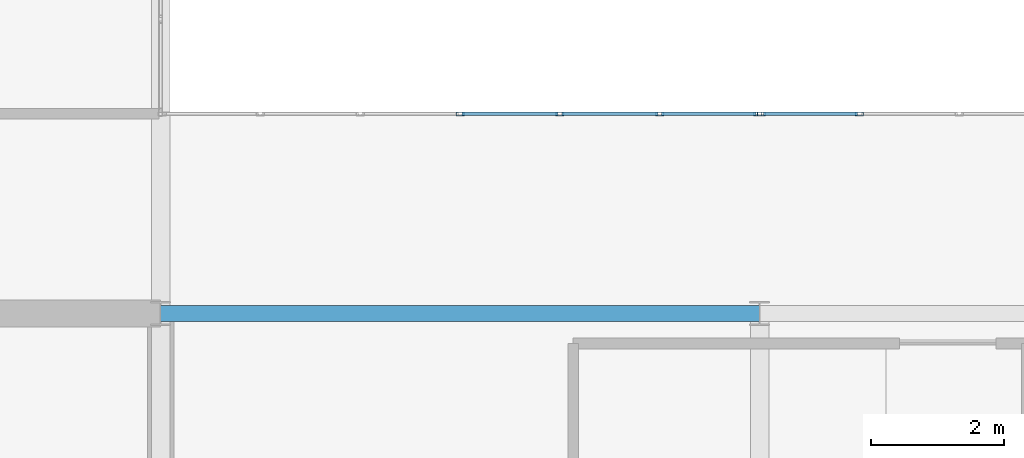
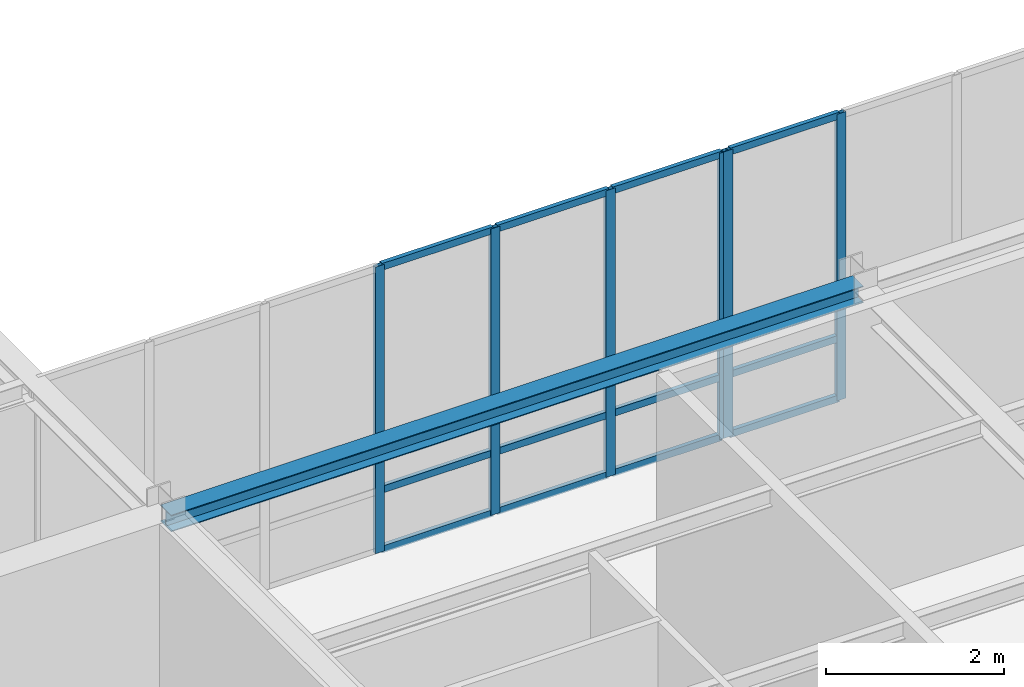
# One storey, part 19 of 97: 18 members, 1 beam, 2 elements without a shape of their own.
"""IFC4 building model written with IfcOpenShell, lengths in metres."""

import ifcopenshell
import ifcopenshell.guid

model = None  # the IFC model being written
_history = None  # IfcOwnerHistory: only IFC2X3 demands one
_inside = {}  # id of a spatial element -> (the spatial element, [elements in it])
_under = {}  # id of a project, library or spatial element -> (it, [spatial elements below it])
_declared = {}  # id of a project -> (the project, [libraries it declares])
_typed = {}  # id of a type object -> (the type object, [elements of that type])
_made_of = {}  # id of a material, layer set ... -> (it, [elements and type objects made of it])


def new_model(schema):
    """Start an empty IFC model of exactly this schema.

    Asked for "IFC4X3", IfcOpenShell would pick the latest addendum, in which some entities
    have other attributes; the version numbers below select the first issue.
    IFC2X3 requires an IfcOwnerHistory on every rooted entity: one is made here for all.
    """
    global model, _history
    if schema == "IFC4X3":
        model = ifcopenshell.file(schema_version=(4, 3, 0, 0))
    else:
        model = ifcopenshell.file(schema=schema)
    _inside.clear()
    _under.clear()
    _declared.clear()
    _typed.clear()
    _made_of.clear()
    _history = None
    if model.schema == "IFC2X3":
        org = make("IfcOrganization", Name="unknown")
        user = make(
            "IfcPersonAndOrganization",
            ThePerson=make("IfcPerson", FamilyName="unknown"),
            TheOrganization=org,
        )
        app = make(
            "IfcApplication",
            ApplicationDeveloper=org,
            Version="unknown",
            ApplicationFullName="unknown",
            ApplicationIdentifier="unknown",
        )
        _history = make(
            "IfcOwnerHistory",
            OwningUser=user,
            OwningApplication=app,
            ChangeAction="ADDED",
            CreationDate=0,
        )
    return model


def make(cls, **values):
    """One entity of the class cls with the attributes given. An attribute that is None is left unset."""
    return model.create_entity(
        cls, **{name: value for name, value in values.items() if value is not None}
    )


def rooted(cls, **values):
    """An entity with a GlobalId (a new one), such as an element, a storey or a relation."""
    return make(cls, GlobalId=ifcopenshell.guid.new(), OwnerHistory=_history, **values)


def si_unit(unit_type, name, prefix=None):
    """IfcSIUnit, for example si_unit("LENGTHUNIT", "METRE", prefix="MILLI")."""
    return make("IfcSIUnit", UnitType=unit_type, Prefix=prefix, Name=name)


def assignment(units):
    """IfcUnitAssignment: the units of a project."""
    return None if units is None else make("IfcUnitAssignment", Units=units)


def point(xyz):
    """IfcCartesianPoint."""
    return None if xyz is None else make("IfcCartesianPoint", Coordinates=xyz)


def direction(xyz):
    """IfcDirection."""
    return None if xyz is None else make("IfcDirection", DirectionRatios=xyz)


def frame(location, z_axis=None, x_axis=None):
    """IfcAxis2Placement3D, a coordinate frame: its origin and axes. An axis left out is left unset."""
    return make(
        "IfcAxis2Placement3D",
        Location=point(location),
        Axis=direction(z_axis),
        RefDirection=direction(x_axis),
    )


def frame_2d(location, x_axis=None):
    """IfcAxis2Placement2D, a coordinate frame in the plane: its origin and x axis."""
    return make(
        "IfcAxis2Placement2D", Location=point(location), RefDirection=direction(x_axis)
    )


def origin():
    """The frame at (0, 0, 0) with its axes left unset."""
    return frame((0.0, 0.0, 0.0))


def origin_2d():
    """The frame at (0, 0) in the plane with its x axis left unset."""
    return frame_2d((0.0, 0.0))


def place(relative_to, where):
    """IfcLocalPlacement: puts the frame where relative to a parent placement (None: the world)."""
    return make(
        "IfcLocalPlacement", PlacementRelTo=relative_to, RelativePlacement=where
    )


def context(
    kind, dimensions, precision=None, world=None, true_north=None, identifier=None
):
    """IfcGeometricRepresentationContext, for example the 3D "Model" context."""
    return make(
        "IfcGeometricRepresentationContext",
        ContextIdentifier=identifier,
        ContextType=kind,
        CoordinateSpaceDimension=dimensions,
        Precision=precision,
        WorldCoordinateSystem=world,
        TrueNorth=true_north,
    )


def subcontext(parent, identifier, kind, view, scale=None):
    """IfcGeometricRepresentationSubContext, for example "Body" below "Model"."""
    return make(
        "IfcGeometricRepresentationSubContext",
        ContextIdentifier=identifier,
        ContextType=kind,
        ParentContext=parent,
        TargetScale=scale,
        TargetView=view,
    )


def project(units=None, contexts=None):
    """IfcProject with its units and contexts."""
    return rooted(
        "IfcProject",
        Name="project",
        RepresentationContexts=contexts,
        UnitsInContext=assignment(units),
    )


def spatial(cls, under=None, at=None, **own):
    """A site, building, storey or space (cls), placed at a placement, below another one or the project."""
    s = rooted(cls, ObjectPlacement=at, **own)
    if under is not None:
        _under.setdefault(under.id(), (under, []))[1].append(s)
    return s


def profile(cls, at=None, kind="AREA", **sizes):
    """A parametric profile (cls). Its sizes go by their IFC names, for example OverallWidth=200.0."""
    return make(cls, ProfileType=kind, Position=at, **sizes)


def hollow_rectangle(**sizes):
    """IfcRectangleHollowProfileDef."""
    return profile("IfcRectangleHollowProfileDef", **sizes)


def i_section(**sizes):
    """IfcIShapeProfileDef."""
    return profile("IfcIShapeProfileDef", **sizes)


def extrude(swept, where, along, depth):
    """IfcExtrudedAreaSolid: the profile swept, set in the frame where, extruded along a direction by depth."""
    return make(
        "IfcExtrudedAreaSolid",
        SweptArea=swept,
        Position=where,
        ExtrudedDirection=direction(along),
        Depth=depth,
    )


def shape(context_of_items, identifier, shape_type, items):
    """IfcShapeRepresentation: the items that make up one representation, for example the "Body"."""
    return make(
        "IfcShapeRepresentation",
        ContextOfItems=context_of_items,
        RepresentationIdentifier=identifier,
        RepresentationType=shape_type,
        Items=items,
    )


def material(Name=None, Category=None):
    """IfcMaterial."""
    return make("IfcMaterial", Name=Name, Category=Category)


def material_profile(
    of_material, cross_section, Name=None, Category=None, Priority=None
):
    """IfcMaterialProfile: a cross section and its material."""
    return make(
        "IfcMaterialProfile",
        Name=Name,
        Material=of_material,
        Profile=cross_section,
        Priority=Priority,
        Category=Category,
    )


def profile_set(profiles, Name=None, composite=None):
    """IfcMaterialProfileSet."""
    return make(
        "IfcMaterialProfileSet",
        Name=Name,
        MaterialProfiles=profiles,
        CompositeProfile=composite,
    )


def made_of(thing, what):
    """Note that an element or type object is made of a material, layer set ...; save() writes the relation."""
    if what is not None:
        _made_of.setdefault(what.id(), (what, []))[1].append(thing)
    return thing


def type_object(cls, material=None, **own):
    """A type object (cls), such as IfcWallType, which elements share."""
    return made_of(rooted(cls, **own), material)


def element(
    cls,
    number,
    at=None,
    inside=None,
    cuts=None,
    type_object=None,
    material=None,
    context=None,
    identifier="Body",
    shape_type=None,
    held_by="IfcProductDefinitionShape",
    body=None,
    shapes=None,
    **own,
):
    """One element of the class cls, such as IfcWall. Its Tag is "e" and its number.

    at: its placement. inside: the storey or other place that contains it. cuts: it is an
    opening in that element (IfcRelVoidsElement). A single representation is given by context,
    identifier, shape_type and body (its items); several are given by shapes. held_by: the class
    of the entity that holds the representations. save() writes the other relations.
    """
    e = rooted(cls, Tag="e%d" % number, ObjectPlacement=at, **own)
    if body is not None:
        shapes = [shape(context, identifier, shape_type, body)]
    if shapes is not None:
        e.Representation = make(held_by, Representations=shapes)
    if inside is not None:
        _inside.setdefault(inside.id(), (inside, []))[1].append(e)
    if cuts is not None:
        rooted(
            "IfcRelVoidsElement", RelatingBuildingElement=cuts, RelatedOpeningElement=e
        )
    if type_object is not None:
        _typed.setdefault(type_object.id(), (type_object, []))[1].append(e)
    return made_of(e, material)


def aggregate(whole, parts):
    """IfcRelAggregates: a whole, such as a stair, and the parts it consists of."""
    return rooted("IfcRelAggregates", RelatingObject=whole, RelatedObjects=parts)


def save(model, path):
    """Write the relations noted so far, then the file.

    IfcRelAggregates (storeys below a building ...), IfcRelContainedInSpatialStructure (elements
    in a storey), IfcRelDefinesByType, IfcRelAssociatesMaterial and IfcRelDeclares: one each for
    every whole, place, type object, material and project.
    """
    for whole, parts in _under.values():
        aggregate(whole, parts)
    for where, things in _inside.values():
        rooted(
            "IfcRelContainedInSpatialStructure",
            RelatedElements=things,
            RelatingStructure=where,
        )
    for kind, things in _typed.values():
        rooted("IfcRelDefinesByType", RelatedObjects=things, RelatingType=kind)
    for what, things in _made_of.values():
        rooted("IfcRelAssociatesMaterial", RelatedObjects=things, RelatingMaterial=what)
    for by, libraries in _declared.values():
        rooted("IfcRelDeclares", RelatingContext=by, RelatedDefinitions=libraries)
    model.write(path)


model = new_model("IFC4")

# Units and contexts
model_context = context("Model", 3, precision=1e-05, world=origin(), true_north=direction((0.0, 1.0)))
body_context = subcontext(model_context, "Body", "Model", "MODEL_VIEW")
ifc_project = project(units=[si_unit("LENGTHUNIT", "METRE"), si_unit("AREAUNIT", "SQUARE_METRE"), si_unit("VOLUMEUNIT", "CUBIC_METRE"), si_unit("PLANEANGLEUNIT", "RADIAN"), si_unit("MASSUNIT", "GRAM", prefix="KILO")], contexts=[model_context])

# Site, building, storey
site_placement = place(None, origin())
site = spatial("IfcSite", under=ifc_project, at=site_placement, CompositionType="ELEMENT")
building_placement = place(site_placement, origin())
building = spatial("IfcBuilding", under=site, at=building_placement, Name="Lykobir Media Centre", CompositionType="ELEMENT")
storey_placement = place(building_placement, frame((0.0, 0.0, 23.39990234375)))
storey = spatial("IfcBuildingStorey", under=building, at=storey_placement, Name="L05", CompositionType="ELEMENT", Elevation=23.39990234375)

# Curtain wall, members
ifc_material_1 = material(Name="Anodized Aluminium AW-6060", Category="aluminium")
curtain_wall_type = type_object("IfcCurtainWallType", Name="CW-COURT-B", PredefinedType="NOTDEFINED", material=ifc_material_1)
curtain_wall_1_placement = place(storey_placement, origin())
curtain_wall_1 = element("IfcCurtainWall", 1, at=curtain_wall_1_placement, inside=storey, type_object=curtain_wall_type, Name="Curtain wall CW2-L05-0190", PredefinedType="NOTDEFINED")
ifc_material_profile_1 = material_profile(ifc_material_1, hollow_rectangle(XDim=0.054931640625, YDim=0.1201171875, WallThickness=0.003173828125, at=origin_2d()), Name="ALU MULLION 55x120")
ifc_profile_set_1 = profile_set([ifc_material_profile_1], Name="Anodized Aluminium AW-6060")
member_type_1 = type_object("IfcMemberType", Name="CWM-120", PredefinedType="MULLION", material=ifc_profile_set_1)
member_1_placement = place(storey_placement, frame((40.5, 21.0, 0.0), z_axis=(0.0, 0.0, 1.0), x_axis=(0.0, 1.0, 0.0)))
member_1 = element("IfcMember", 2, at=member_1_placement, type_object=member_type_1, Name="CW2-L05-0190 mullion 4", PredefinedType="MULLION", context=body_context, shape_type="SweptSolid", body=[
    extrude(hollow_rectangle(XDim=0.054931640625, YDim=0.1201171875, WallThickness=0.003173828125, at=origin_2d()), origin(), (0.0, 0.0, 1.0), 3.940185546875),
])
member_2_placement = place(storey_placement, frame((42.0, 21.0, 0.0), z_axis=(0.0, 0.0, 1.0), x_axis=(0.0, 1.0, 0.0)))
member_2 = element("IfcMember", 3, at=member_2_placement, type_object=member_type_1, Name="CW2-L05-0190 mullion 5", PredefinedType="MULLION", context=body_context, shape_type="SweptSolid", body=[
    extrude(hollow_rectangle(XDim=0.054931640625, YDim=0.1201171875, WallThickness=0.003173828125, at=origin_2d()), origin(), (0.0, 0.0, 1.0), 3.940185546875),
])
member_3_placement = place(storey_placement, frame((43.5, 21.0, 0.0), z_axis=(0.0, 0.0, 1.0), x_axis=(0.0, 1.0, 0.0)))
member_3 = element("IfcMember", 4, at=member_3_placement, type_object=member_type_1, Name="CW2-L05-0190 mullion 6", PredefinedType="MULLION", context=body_context, shape_type="SweptSolid", body=[
    extrude(hollow_rectangle(XDim=0.054931640625, YDim=0.1201171875, WallThickness=0.003173828125, at=origin_2d()), origin(), (0.0, 0.0, 1.0), 3.940185546875),
])
member_4_placement = place(storey_placement, frame((44.972412109375, 21.0, 0.0), z_axis=(0.0, 0.0, 1.0), x_axis=(0.0, 1.0, 0.0)))
member_4 = element("IfcMember", 5, at=member_4_placement, type_object=member_type_1, Name="CW2-L05-0190 mullion 7", PredefinedType="MULLION", context=body_context, shape_type="SweptSolid", body=[
    extrude(hollow_rectangle(XDim=0.054931640625, YDim=0.1201171875, WallThickness=0.003173828125, at=origin_2d()), origin(), (0.0, 0.0, 1.0), 3.940185546875),
])

curtain_wall_2_placement = place(storey_placement, origin())
curtain_wall_2 = element("IfcCurtainWall", 6, at=curtain_wall_2_placement, inside=storey, type_object=curtain_wall_type, Name="Curtain wall CW2-L05-0191", PredefinedType="NOTDEFINED")
member_5_placement = place(storey_placement, frame((45.027587890625, 21.0, 0.0), z_axis=(0.0, 0.0, 1.0), x_axis=(0.0, 1.0, 0.0)))
member_5 = element("IfcMember", 7, at=member_5_placement, type_object=member_type_1, Name="CW2-L05-0191 mullion 1", PredefinedType="MULLION", context=body_context, shape_type="SweptSolid", body=[
    extrude(hollow_rectangle(XDim=0.054931640625, YDim=0.1201171875, WallThickness=0.003173828125, at=origin_2d()), origin(), (0.0, 0.0, 1.0), 3.940185546875),
])
member_6_placement = place(storey_placement, frame((46.5, 21.0, 0.0), z_axis=(0.0, 0.0, 1.0), x_axis=(0.0, 1.0, 0.0)))
member_6 = element("IfcMember", 8, at=member_6_placement, type_object=member_type_1, Name="CW2-L05-0191 mullion 2", PredefinedType="MULLION", context=body_context, shape_type="SweptSolid", body=[
    extrude(hollow_rectangle(XDim=0.054931640625, YDim=0.1201171875, WallThickness=0.003173828125, at=origin_2d()), origin(), (0.0, 0.0, 1.0), 3.940185546875),
])

# Member
ifc_material_profile_2 = material_profile(ifc_material_1, hollow_rectangle(XDim=0.054931640625, YDim=0.094970703125, WallThickness=0.0029296875, at=origin_2d()), Name="ALU TRANSOM 55x95")
ifc_profile_set_2 = profile_set([ifc_material_profile_2], Name="Anodized Aluminium AW-6060")
member_type_2 = type_object("IfcMemberType", Name="CWT-095", PredefinedType="USERDEFINED", material=ifc_profile_set_2)
member_7_placement = place(storey_placement, frame((40.527587890625, 21.0, 0.027587890625), z_axis=(1.0, 0.0, 0.0), x_axis=(0.0, 1.0, 0.0)))
member_7 = element("IfcMember", 9, at=member_7_placement, type_object=member_type_2, Name="CW2-L05-0190 transom 4.1", ObjectType="TRANSOM", PredefinedType="USERDEFINED", context=body_context, shape_type="SweptSolid", body=[
    extrude(hollow_rectangle(XDim=0.054931640625, YDim=0.094970703125, WallThickness=0.0029296875, at=origin_2d()), origin(), (0.0, 0.0, 1.0), 1.44482421875),
])

member_8_placement = place(storey_placement, frame((40.527587890625, 21.0, 0.85009765625), z_axis=(1.0, 0.0, 0.0), x_axis=(0.0, 1.0, 0.0)))
member_8 = element("IfcMember", 10, at=member_8_placement, type_object=member_type_2, Name="CW2-L05-0190 transom 4.2", ObjectType="TRANSOM", PredefinedType="USERDEFINED", context=body_context, shape_type="SweptSolid", body=[
    extrude(hollow_rectangle(XDim=0.054931640625, YDim=0.094970703125, WallThickness=0.0029296875, at=origin_2d()), origin(), (0.0, 0.0, 1.0), 1.44482421875),
])

member_9_placement = place(storey_placement, frame((40.527587890625, 21.0, 3.91259765625), z_axis=(1.0, 0.0, 0.0), x_axis=(0.0, 1.0, 0.0)))
member_9 = element("IfcMember", 11, at=member_9_placement, type_object=member_type_2, Name="CW2-L05-0190 transom 4.3", ObjectType="TRANSOM", PredefinedType="USERDEFINED", context=body_context, shape_type="SweptSolid", body=[
    extrude(hollow_rectangle(XDim=0.054931640625, YDim=0.094970703125, WallThickness=0.0029296875, at=origin_2d()), origin(), (0.0, 0.0, 1.0), 1.44482421875),
])

member_10_placement = place(storey_placement, frame((42.027587890625, 21.0, 0.027587890625), z_axis=(1.0, 0.0, 0.0), x_axis=(0.0, 1.0, 0.0)))
member_10 = element("IfcMember", 12, at=member_10_placement, type_object=member_type_2, Name="CW2-L05-0190 transom 5.1", ObjectType="TRANSOM", PredefinedType="USERDEFINED", context=body_context, shape_type="SweptSolid", body=[
    extrude(hollow_rectangle(XDim=0.054931640625, YDim=0.094970703125, WallThickness=0.0029296875, at=origin_2d()), origin(), (0.0, 0.0, 1.0), 1.44482421875),
])

member_11_placement = place(storey_placement, frame((42.027587890625, 21.0, 0.85009765625), z_axis=(1.0, 0.0, 0.0), x_axis=(0.0, 1.0, 0.0)))
member_11 = element("IfcMember", 13, at=member_11_placement, type_object=member_type_2, Name="CW2-L05-0190 transom 5.2", ObjectType="TRANSOM", PredefinedType="USERDEFINED", context=body_context, shape_type="SweptSolid", body=[
    extrude(hollow_rectangle(XDim=0.054931640625, YDim=0.094970703125, WallThickness=0.0029296875, at=origin_2d()), origin(), (0.0, 0.0, 1.0), 1.44482421875),
])

member_12_placement = place(storey_placement, frame((42.027587890625, 21.0, 3.91259765625), z_axis=(1.0, 0.0, 0.0), x_axis=(0.0, 1.0, 0.0)))
member_12 = element("IfcMember", 14, at=member_12_placement, type_object=member_type_2, Name="CW2-L05-0190 transom 5.3", ObjectType="TRANSOM", PredefinedType="USERDEFINED", context=body_context, shape_type="SweptSolid", body=[
    extrude(hollow_rectangle(XDim=0.054931640625, YDim=0.094970703125, WallThickness=0.0029296875, at=origin_2d()), origin(), (0.0, 0.0, 1.0), 1.44482421875),
])

member_13_placement = place(storey_placement, frame((43.527587890625, 21.0, 0.027587890625), z_axis=(1.0, 0.0, 0.0), x_axis=(0.0, 1.0, 0.0)))
member_13 = element("IfcMember", 15, at=member_13_placement, type_object=member_type_2, Name="CW2-L05-0190 transom 6.1", ObjectType="TRANSOM", PredefinedType="USERDEFINED", context=body_context, shape_type="SweptSolid", body=[
    extrude(hollow_rectangle(XDim=0.054931640625, YDim=0.094970703125, WallThickness=0.0029296875, at=origin_2d()), origin(), (0.0, 0.0, 1.0), 1.41748046875),
])

member_14_placement = place(storey_placement, frame((43.527587890625, 21.0, 0.85009765625), z_axis=(1.0, 0.0, 0.0), x_axis=(0.0, 1.0, 0.0)))
member_14 = element("IfcMember", 16, at=member_14_placement, type_object=member_type_2, Name="CW2-L05-0190 transom 6.2", ObjectType="TRANSOM", PredefinedType="USERDEFINED", context=body_context, shape_type="SweptSolid", body=[
    extrude(hollow_rectangle(XDim=0.054931640625, YDim=0.094970703125, WallThickness=0.0029296875, at=origin_2d()), origin(), (0.0, 0.0, 1.0), 1.41748046875),
])

member_15_placement = place(storey_placement, frame((43.527587890625, 21.0, 3.91259765625), z_axis=(1.0, 0.0, 0.0), x_axis=(0.0, 1.0, 0.0)))
member_15 = element("IfcMember", 17, at=member_15_placement, type_object=member_type_2, Name="CW2-L05-0190 transom 6.3", ObjectType="TRANSOM", PredefinedType="USERDEFINED", context=body_context, shape_type="SweptSolid", body=[
    extrude(hollow_rectangle(XDim=0.054931640625, YDim=0.094970703125, WallThickness=0.0029296875, at=origin_2d()), origin(), (0.0, 0.0, 1.0), 1.41748046875),
])

aggregate(curtain_wall_1, [member_1, member_2, member_3, member_4, member_7, member_8, member_9, member_10, member_11, member_12, member_13, member_14, member_15])

member_16_placement = place(storey_placement, frame((45.054931640625, 21.0, 0.027587890625), z_axis=(1.0, 0.0, 0.0), x_axis=(0.0, 1.0, 0.0)))
member_16 = element("IfcMember", 18, at=member_16_placement, type_object=member_type_2, Name="CW2-L05-0191 transom 1.1", ObjectType="TRANSOM", PredefinedType="USERDEFINED", context=body_context, shape_type="SweptSolid", body=[
    extrude(hollow_rectangle(XDim=0.054931640625, YDim=0.094970703125, WallThickness=0.0029296875, at=origin_2d()), origin(), (0.0, 0.0, 1.0), 1.41748046875),
])

member_17_placement = place(storey_placement, frame((45.054931640625, 21.0, 0.85009765625), z_axis=(1.0, 0.0, 0.0), x_axis=(0.0, 1.0, 0.0)))
member_17 = element("IfcMember", 19, at=member_17_placement, type_object=member_type_2, Name="CW2-L05-0191 transom 1.2", ObjectType="TRANSOM", PredefinedType="USERDEFINED", context=body_context, shape_type="SweptSolid", body=[
    extrude(hollow_rectangle(XDim=0.054931640625, YDim=0.094970703125, WallThickness=0.0029296875, at=origin_2d()), origin(), (0.0, 0.0, 1.0), 1.41748046875),
])

member_18_placement = place(storey_placement, frame((45.054931640625, 21.0, 3.91259765625), z_axis=(1.0, 0.0, 0.0), x_axis=(0.0, 1.0, 0.0)))
member_18 = element("IfcMember", 20, at=member_18_placement, type_object=member_type_2, Name="CW2-L05-0191 transom 1.3", ObjectType="TRANSOM", PredefinedType="USERDEFINED", context=body_context, shape_type="SweptSolid", body=[
    extrude(hollow_rectangle(XDim=0.054931640625, YDim=0.094970703125, WallThickness=0.0029296875, at=origin_2d()), origin(), (0.0, 0.0, 1.0), 1.41748046875),
])

aggregate(curtain_wall_2, [member_5, member_6, member_16, member_17, member_18])

# Beam
ifc_material_2 = material(Name="Steel S355", Category="steel")
ifc_material_profile_3 = material_profile(ifc_material_2, i_section(OverallWidth=0.239990234375, OverallDepth=0.22998046875, WebThickness=0.007568359375, FlangeThickness=0.011962890625, at=origin_2d()), Name="HEA 240")
ifc_profile_set_3 = profile_set([ifc_material_profile_3], Name="Steel S355")
beam_type = type_object("IfcBeamType", Name="SP-HEA240", PredefinedType="SPANDREL", material=ifc_profile_set_3)
beam_placement = place(storey_placement, frame((36.0, 18.0, 3.84521484375), z_axis=(1.0, 0.0, 0.0), x_axis=(0.0, 1.0, 0.0)))
element("IfcBeam", 21, at=beam_placement, inside=storey, type_object=beam_type, Name="Beam BM-L05-0360-0180-0450-0180-2724", PredefinedType="SPANDREL", context=body_context, shape_type="SweptSolid", body=[
    extrude(i_section(OverallWidth=0.239990234375, OverallDepth=0.22998046875, WebThickness=0.007568359375, FlangeThickness=0.011962890625, at=origin_2d()), origin(), (0.0, 0.0, 1.0), 9.0),
])

save(model, "model.ifc")
